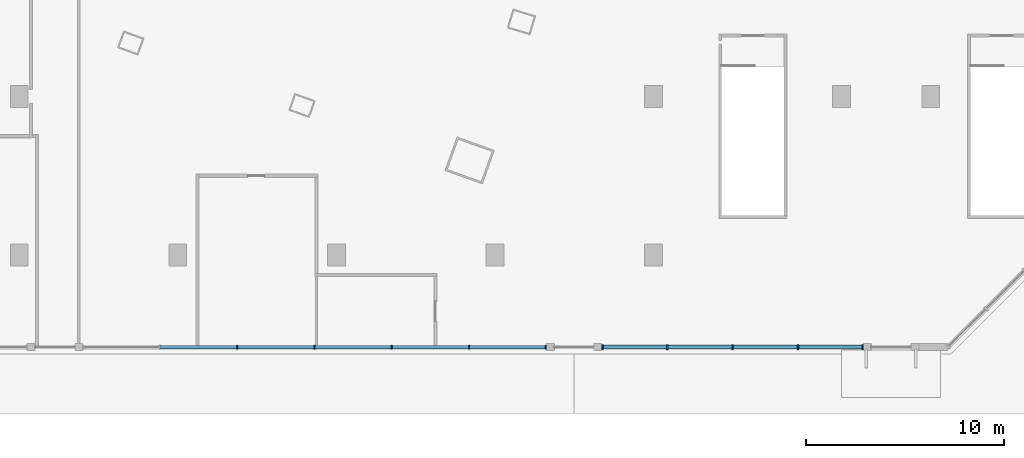
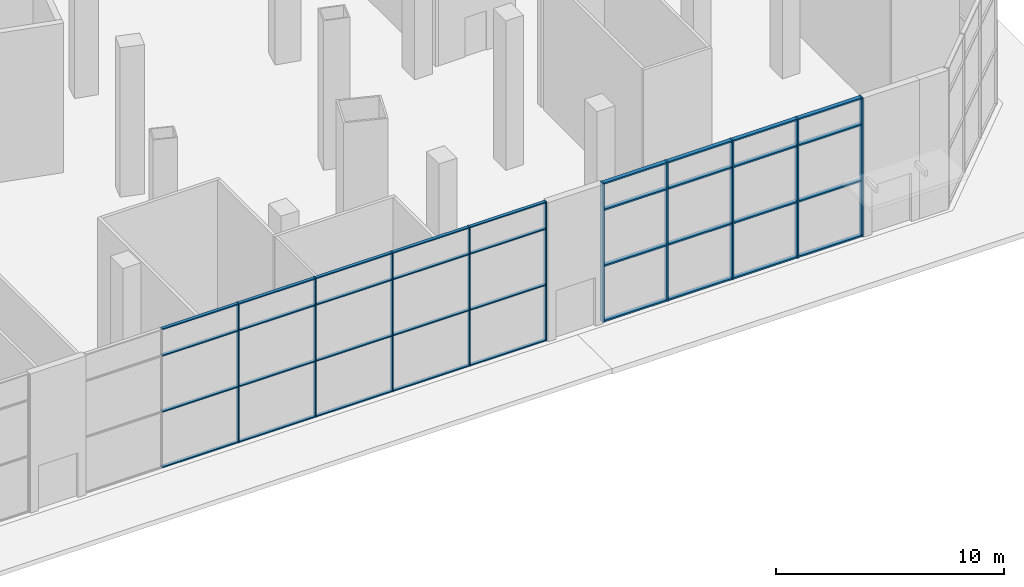
# One storey, part 3 of 33: 46 members, 2 elements without a shape of their own.
"""IFC4 building model written with IfcOpenShell, lengths in metres."""

from ifc_helpers import new_model, si_unit, direction, frame, origin, origin_2d, place, context, subcontext, project, spatial, rectangle, extrude, material, layer, layer_set, material_profile, profile_set, type_object, element, aggregate, save


model = new_model("IFC4")

# Units and contexts
model_context = context("Model", 3, precision=1e-05, world=origin(), true_north=direction((0.0, 1.0)))
body_context = subcontext(model_context, "Body", "Model", "MODEL_VIEW")
ifc_project = project(units=[si_unit("LENGTHUNIT", "METRE"), si_unit("AREAUNIT", "SQUARE_METRE"), si_unit("VOLUMEUNIT", "CUBIC_METRE"), si_unit("PLANEANGLEUNIT", "RADIAN"), si_unit("MASSUNIT", "GRAM", prefix="KILO")], contexts=[model_context])

# Site, building, storey
site_placement = place(None, origin())
site = spatial("IfcSite", under=ifc_project, at=site_placement, CompositionType="ELEMENT")
building_placement = place(site_placement, origin())
building = spatial("IfcBuilding", under=site, at=building_placement, Name="Alderwake Tower", CompositionType="ELEMENT")
storey_placement = place(building_placement, origin())
storey = spatial("IfcBuildingStorey", under=building, at=storey_placement, Name="L00", CompositionType="ELEMENT", Elevation=0.0)

# Curtain wall, members
ifc_material_1 = material(Name="Bronze tinted glass in aluminium frame", Category="aluminium")
ifc_layer_1 = layer(ifc_material_1, 0.25)
ifc_layer_set_1 = layer_set([ifc_layer_1], Name="Curtain wall CW1 podium shopfront")
curtain_wall_type_1 = type_object("IfcCurtainWallType", Name="Curtain wall CW1 podium shopfront", PredefinedType="NOTDEFINED", material=ifc_layer_set_1)
curtain_wall_1_placement = place(storey_placement, origin())
curtain_wall_1 = element("IfcCurtainWall", 1, at=curtain_wall_1_placement, inside=storey, type_object=curtain_wall_type_1, Name="Curtain wall 3", PredefinedType="NOTDEFINED")
ifc_material_2 = material(Name="Aluminium bronze anodised", Category="aluminium")
ifc_material_profile_1 = material_profile(ifc_material_2, rectangle(XDim=0.199951171875, YDim=0.06005859375, at=origin_2d()), Name="Mullion MUA 60x200")
ifc_profile_set_1 = profile_set([ifc_material_profile_1], Name="Aluminium bronze anodised")
member_type_1 = type_object("IfcMemberType", Name="Mullion MUA 60x200", PredefinedType="MULLION", material=ifc_profile_set_1)
member_1_placement = place(storey_placement, frame((43.0, 3.35009765625, 0.0), z_axis=(0.0, 0.0, 1.0), x_axis=(0.0, 1.0, 0.0)))
member_1 = element("IfcMember", 2, at=member_1_placement, type_object=member_type_1, Name="CW.03 mullion 3", PredefinedType="MULLION", context=body_context, shape_type="SweptSolid", body=[
    extrude(rectangle(XDim=0.199951171875, YDim=0.06005859375, at=origin_2d()), origin(), (0.0, 0.0, 1.0), 7.449951171875),
])
member_2_placement = place(storey_placement, frame((46.89990234375, 3.35009765625, 0.0), z_axis=(0.0, 0.0, 1.0), x_axis=(0.0, 1.0, 0.0)))
member_2 = element("IfcMember", 3, at=member_2_placement, type_object=member_type_1, Name="CW.03 mullion 4", PredefinedType="MULLION", context=body_context, shape_type="SweptSolid", body=[
    extrude(rectangle(XDim=0.199951171875, YDim=0.06005859375, at=origin_2d()), origin(), (0.0, 0.0, 1.0), 7.449951171875),
])
member_3_placement = place(storey_placement, frame((50.800048828125, 3.35009765625, 0.0), z_axis=(0.0, 0.0, 1.0), x_axis=(0.0, 1.0, 0.0)))
member_3 = element("IfcMember", 4, at=member_3_placement, type_object=member_type_1, Name="CW.03 mullion 5", PredefinedType="MULLION", context=body_context, shape_type="SweptSolid", body=[
    extrude(rectangle(XDim=0.199951171875, YDim=0.06005859375, at=origin_2d()), origin(), (0.0, 0.0, 1.0), 7.449951171875),
])
member_4_placement = place(storey_placement, frame((54.699951171875, 3.35009765625, 0.0), z_axis=(0.0, 0.0, 1.0), x_axis=(0.0, 1.0, 0.0)))
member_4 = element("IfcMember", 5, at=member_4_placement, type_object=member_type_1, Name="CW.03 mullion 6", PredefinedType="MULLION", context=body_context, shape_type="SweptSolid", body=[
    extrude(rectangle(XDim=0.199951171875, YDim=0.06005859375, at=origin_2d()), origin(), (0.0, 0.0, 1.0), 7.449951171875),
])
member_5_placement = place(storey_placement, frame((58.570068359375, 3.35009765625, 0.0), z_axis=(0.0, 0.0, 1.0), x_axis=(0.0, 1.0, 0.0)))
member_5 = element("IfcMember", 6, at=member_5_placement, type_object=member_type_1, Name="CW.03 mullion 7", PredefinedType="MULLION", context=body_context, shape_type="SweptSolid", body=[
    extrude(rectangle(XDim=0.199951171875, YDim=0.06005859375, at=origin_2d()), origin(), (0.0, 0.0, 1.0), 7.449951171875),
])

ifc_material_3 = material(Name="Bronze tinted glass in aluminium frame", Category="aluminium")
ifc_layer_2 = layer(ifc_material_3, 0.300048828125)
ifc_layer_set_2 = layer_set([ifc_layer_2], Name="Curtain wall CW2 station concourse wall")
curtain_wall_type_2 = type_object("IfcCurtainWallType", Name="Curtain wall CW2 station concourse wall", PredefinedType="NOTDEFINED", material=ifc_layer_set_2)
curtain_wall_2_placement = place(storey_placement, origin())
curtain_wall_2 = element("IfcCurtainWall", 7, at=curtain_wall_2_placement, inside=storey, type_object=curtain_wall_type_2, Name="Curtain wall 4", PredefinedType="NOTDEFINED")
ifc_material_4 = material(Name="Aluminium bronze anodised", Category="aluminium")
ifc_material_profile_2 = material_profile(ifc_material_4, rectangle(XDim=0.25, YDim=0.080078125, at=origin_2d()), Name="Mullion MUB 80x250")
ifc_profile_set_2 = profile_set([ifc_material_profile_2], Name="Aluminium bronze anodised")
member_type_2 = type_object("IfcMemberType", Name="Mullion MUB 80x250", PredefinedType="MULLION", material=ifc_profile_set_2)
member_6_placement = place(storey_placement, frame((61.43994140625, 3.35009765625, 0.0), z_axis=(0.0, 0.0, 1.0), x_axis=(0.0, 1.0, 0.0)))
member_6 = element("IfcMember", 8, at=member_6_placement, type_object=member_type_2, Name="CW.04 mullion 1", PredefinedType="MULLION", context=body_context, shape_type="SweptSolid", body=[
    extrude(rectangle(XDim=0.25, YDim=0.080078125, at=origin_2d()), origin(), (0.0, 0.0, 1.0), 7.449951171875),
])
member_7_placement = place(storey_placement, frame((64.699951171875, 3.35009765625, 0.0), z_axis=(0.0, 0.0, 1.0), x_axis=(0.0, 1.0, 0.0)))
member_7 = element("IfcMember", 9, at=member_7_placement, type_object=member_type_2, Name="CW.04 mullion 2", PredefinedType="MULLION", context=body_context, shape_type="SweptSolid", body=[
    extrude(rectangle(XDim=0.25, YDim=0.080078125, at=origin_2d()), origin(), (0.0, 0.0, 1.0), 7.449951171875),
])
member_8_placement = place(storey_placement, frame((68.0, 3.35009765625, 0.0), z_axis=(0.0, 0.0, 1.0), x_axis=(0.0, 1.0, 0.0)))
member_8 = element("IfcMember", 10, at=member_8_placement, type_object=member_type_2, Name="CW.04 mullion 3", PredefinedType="MULLION", context=body_context, shape_type="SweptSolid", body=[
    extrude(rectangle(XDim=0.25, YDim=0.080078125, at=origin_2d()), origin(), (0.0, 0.0, 1.0), 7.449951171875),
])
member_9_placement = place(storey_placement, frame((71.300048828125, 3.35009765625, 0.0), z_axis=(0.0, 0.0, 1.0), x_axis=(0.0, 1.0, 0.0)))
member_9 = element("IfcMember", 11, at=member_9_placement, type_object=member_type_2, Name="CW.04 mullion 4", PredefinedType="MULLION", context=body_context, shape_type="SweptSolid", body=[
    extrude(rectangle(XDim=0.25, YDim=0.080078125, at=origin_2d()), origin(), (0.0, 0.0, 1.0), 7.449951171875),
])
member_10_placement = place(storey_placement, frame((74.56005859375, 3.35009765625, 0.0), z_axis=(0.0, 0.0, 1.0), x_axis=(0.0, 1.0, 0.0)))
member_10 = element("IfcMember", 12, at=member_10_placement, type_object=member_type_2, Name="CW.04 mullion 5", PredefinedType="MULLION", context=body_context, shape_type="SweptSolid", body=[
    extrude(rectangle(XDim=0.25, YDim=0.080078125, at=origin_2d()), origin(), (0.0, 0.0, 1.0), 7.449951171875),
])

# Member
ifc_material_5 = material(Name="Aluminium bronze anodised", Category="aluminium")
ifc_material_profile_3 = material_profile(ifc_material_5, rectangle(XDim=0.159912109375, YDim=0.06005859375, at=origin_2d()), Name="Transom TRA 60x160")
ifc_profile_set_3 = profile_set([ifc_material_profile_3], Name="Aluminium bronze anodised")
member_type_3 = type_object("IfcMemberType", Name="Transom TRA 60x160", PredefinedType="USERDEFINED", material=ifc_profile_set_3)
member_11_placement = place(storey_placement, frame((39.1298828125, 3.35009765625, 0.030029296875), z_axis=(1.0, 0.0, 0.0), x_axis=(0.0, 1.0, 0.0)))
member_11 = element("IfcMember", 13, at=member_11_placement, type_object=member_type_3, Name="CW.03 transom 2.1", ObjectType="TRANSOM", PredefinedType="USERDEFINED", context=body_context, shape_type="SweptSolid", body=[
    extrude(rectangle(XDim=0.159912109375, YDim=0.06005859375, at=origin_2d()), origin(), (0.0, 0.0, 1.0), 3.840087890625),
])

member_12_placement = place(storey_placement, frame((39.1298828125, 3.35009765625, 3.0), z_axis=(1.0, 0.0, 0.0), x_axis=(0.0, 1.0, 0.0)))
member_12 = element("IfcMember", 14, at=member_12_placement, type_object=member_type_3, Name="CW.03 transom 2.2", ObjectType="TRANSOM", PredefinedType="USERDEFINED", context=body_context, shape_type="SweptSolid", body=[
    extrude(rectangle(XDim=0.159912109375, YDim=0.06005859375, at=origin_2d()), origin(), (0.0, 0.0, 1.0), 3.840087890625),
])

member_13_placement = place(storey_placement, frame((39.1298828125, 3.35009765625, 6.0), z_axis=(1.0, 0.0, 0.0), x_axis=(0.0, 1.0, 0.0)))
member_13 = element("IfcMember", 15, at=member_13_placement, type_object=member_type_3, Name="CW.03 transom 2.3", ObjectType="TRANSOM", PredefinedType="USERDEFINED", context=body_context, shape_type="SweptSolid", body=[
    extrude(rectangle(XDim=0.159912109375, YDim=0.06005859375, at=origin_2d()), origin(), (0.0, 0.0, 1.0), 3.840087890625),
])

member_14_placement = place(storey_placement, frame((39.1298828125, 3.35009765625, 7.419921875), z_axis=(1.0, 0.0, 0.0), x_axis=(0.0, 1.0, 0.0)))
member_14 = element("IfcMember", 16, at=member_14_placement, type_object=member_type_3, Name="CW.03 transom 2.4", ObjectType="TRANSOM", PredefinedType="USERDEFINED", context=body_context, shape_type="SweptSolid", body=[
    extrude(rectangle(XDim=0.159912109375, YDim=0.06005859375, at=origin_2d()), origin(), (0.0, 0.0, 1.0), 3.840087890625),
])

member_15_placement = place(storey_placement, frame((43.030029296875, 3.35009765625, 0.030029296875), z_axis=(1.0, 0.0, 0.0), x_axis=(0.0, 1.0, 0.0)))
member_15 = element("IfcMember", 17, at=member_15_placement, type_object=member_type_3, Name="CW.03 transom 3.1", ObjectType="TRANSOM", PredefinedType="USERDEFINED", context=body_context, shape_type="SweptSolid", body=[
    extrude(rectangle(XDim=0.159912109375, YDim=0.06005859375, at=origin_2d()), origin(), (0.0, 0.0, 1.0), 3.840087890625),
])

member_16_placement = place(storey_placement, frame((43.030029296875, 3.35009765625, 3.0), z_axis=(1.0, 0.0, 0.0), x_axis=(0.0, 1.0, 0.0)))
member_16 = element("IfcMember", 18, at=member_16_placement, type_object=member_type_3, Name="CW.03 transom 3.2", ObjectType="TRANSOM", PredefinedType="USERDEFINED", context=body_context, shape_type="SweptSolid", body=[
    extrude(rectangle(XDim=0.159912109375, YDim=0.06005859375, at=origin_2d()), origin(), (0.0, 0.0, 1.0), 3.840087890625),
])

member_17_placement = place(storey_placement, frame((43.030029296875, 3.35009765625, 6.0), z_axis=(1.0, 0.0, 0.0), x_axis=(0.0, 1.0, 0.0)))
member_17 = element("IfcMember", 19, at=member_17_placement, type_object=member_type_3, Name="CW.03 transom 3.3", ObjectType="TRANSOM", PredefinedType="USERDEFINED", context=body_context, shape_type="SweptSolid", body=[
    extrude(rectangle(XDim=0.159912109375, YDim=0.06005859375, at=origin_2d()), origin(), (0.0, 0.0, 1.0), 3.840087890625),
])

member_18_placement = place(storey_placement, frame((43.030029296875, 3.35009765625, 7.419921875), z_axis=(1.0, 0.0, 0.0), x_axis=(0.0, 1.0, 0.0)))
member_18 = element("IfcMember", 20, at=member_18_placement, type_object=member_type_3, Name="CW.03 transom 3.4", ObjectType="TRANSOM", PredefinedType="USERDEFINED", context=body_context, shape_type="SweptSolid", body=[
    extrude(rectangle(XDim=0.159912109375, YDim=0.06005859375, at=origin_2d()), origin(), (0.0, 0.0, 1.0), 3.840087890625),
])

member_19_placement = place(storey_placement, frame((46.929931640625, 3.35009765625, 0.030029296875), z_axis=(1.0, 0.0, 0.0), x_axis=(0.0, 1.0, 0.0)))
member_19 = element("IfcMember", 21, at=member_19_placement, type_object=member_type_3, Name="CW.03 transom 4.1", ObjectType="TRANSOM", PredefinedType="USERDEFINED", context=body_context, shape_type="SweptSolid", body=[
    extrude(rectangle(XDim=0.159912109375, YDim=0.06005859375, at=origin_2d()), origin(), (0.0, 0.0, 1.0), 3.840087890625),
])

member_20_placement = place(storey_placement, frame((46.929931640625, 3.35009765625, 3.0), z_axis=(1.0, 0.0, 0.0), x_axis=(0.0, 1.0, 0.0)))
member_20 = element("IfcMember", 22, at=member_20_placement, type_object=member_type_3, Name="CW.03 transom 4.2", ObjectType="TRANSOM", PredefinedType="USERDEFINED", context=body_context, shape_type="SweptSolid", body=[
    extrude(rectangle(XDim=0.159912109375, YDim=0.06005859375, at=origin_2d()), origin(), (0.0, 0.0, 1.0), 3.840087890625),
])

member_21_placement = place(storey_placement, frame((46.929931640625, 3.35009765625, 6.0), z_axis=(1.0, 0.0, 0.0), x_axis=(0.0, 1.0, 0.0)))
member_21 = element("IfcMember", 23, at=member_21_placement, type_object=member_type_3, Name="CW.03 transom 4.3", ObjectType="TRANSOM", PredefinedType="USERDEFINED", context=body_context, shape_type="SweptSolid", body=[
    extrude(rectangle(XDim=0.159912109375, YDim=0.06005859375, at=origin_2d()), origin(), (0.0, 0.0, 1.0), 3.840087890625),
])

member_22_placement = place(storey_placement, frame((46.929931640625, 3.35009765625, 7.419921875), z_axis=(1.0, 0.0, 0.0), x_axis=(0.0, 1.0, 0.0)))
member_22 = element("IfcMember", 24, at=member_22_placement, type_object=member_type_3, Name="CW.03 transom 4.4", ObjectType="TRANSOM", PredefinedType="USERDEFINED", context=body_context, shape_type="SweptSolid", body=[
    extrude(rectangle(XDim=0.159912109375, YDim=0.06005859375, at=origin_2d()), origin(), (0.0, 0.0, 1.0), 3.840087890625),
])

member_23_placement = place(storey_placement, frame((50.830078125, 3.35009765625, 0.030029296875), z_axis=(1.0, 0.0, 0.0), x_axis=(0.0, 1.0, 0.0)))
member_23 = element("IfcMember", 25, at=member_23_placement, type_object=member_type_3, Name="CW.03 transom 5.1", ObjectType="TRANSOM", PredefinedType="USERDEFINED", context=body_context, shape_type="SweptSolid", body=[
    extrude(rectangle(XDim=0.159912109375, YDim=0.06005859375, at=origin_2d()), origin(), (0.0, 0.0, 1.0), 3.83984375),
])

member_24_placement = place(storey_placement, frame((50.830078125, 3.35009765625, 3.0), z_axis=(1.0, 0.0, 0.0), x_axis=(0.0, 1.0, 0.0)))
member_24 = element("IfcMember", 26, at=member_24_placement, type_object=member_type_3, Name="CW.03 transom 5.2", ObjectType="TRANSOM", PredefinedType="USERDEFINED", context=body_context, shape_type="SweptSolid", body=[
    extrude(rectangle(XDim=0.159912109375, YDim=0.06005859375, at=origin_2d()), origin(), (0.0, 0.0, 1.0), 3.83984375),
])

member_25_placement = place(storey_placement, frame((50.830078125, 3.35009765625, 6.0), z_axis=(1.0, 0.0, 0.0), x_axis=(0.0, 1.0, 0.0)))
member_25 = element("IfcMember", 27, at=member_25_placement, type_object=member_type_3, Name="CW.03 transom 5.3", ObjectType="TRANSOM", PredefinedType="USERDEFINED", context=body_context, shape_type="SweptSolid", body=[
    extrude(rectangle(XDim=0.159912109375, YDim=0.06005859375, at=origin_2d()), origin(), (0.0, 0.0, 1.0), 3.83984375),
])

member_26_placement = place(storey_placement, frame((50.830078125, 3.35009765625, 7.419921875), z_axis=(1.0, 0.0, 0.0), x_axis=(0.0, 1.0, 0.0)))
member_26 = element("IfcMember", 28, at=member_26_placement, type_object=member_type_3, Name="CW.03 transom 5.4", ObjectType="TRANSOM", PredefinedType="USERDEFINED", context=body_context, shape_type="SweptSolid", body=[
    extrude(rectangle(XDim=0.159912109375, YDim=0.06005859375, at=origin_2d()), origin(), (0.0, 0.0, 1.0), 3.83984375),
])

member_27_placement = place(storey_placement, frame((54.72998046875, 3.35009765625, 0.030029296875), z_axis=(1.0, 0.0, 0.0), x_axis=(0.0, 1.0, 0.0)))
member_27 = element("IfcMember", 29, at=member_27_placement, type_object=member_type_3, Name="CW.03 transom 6.1", ObjectType="TRANSOM", PredefinedType="USERDEFINED", context=body_context, shape_type="SweptSolid", body=[
    extrude(rectangle(XDim=0.159912109375, YDim=0.06005859375, at=origin_2d()), origin(), (0.0, 0.0, 1.0), 3.81005859375),
])

member_28_placement = place(storey_placement, frame((54.72998046875, 3.35009765625, 3.0), z_axis=(1.0, 0.0, 0.0), x_axis=(0.0, 1.0, 0.0)))
member_28 = element("IfcMember", 30, at=member_28_placement, type_object=member_type_3, Name="CW.03 transom 6.2", ObjectType="TRANSOM", PredefinedType="USERDEFINED", context=body_context, shape_type="SweptSolid", body=[
    extrude(rectangle(XDim=0.159912109375, YDim=0.06005859375, at=origin_2d()), origin(), (0.0, 0.0, 1.0), 3.81005859375),
])

member_29_placement = place(storey_placement, frame((54.72998046875, 3.35009765625, 6.0), z_axis=(1.0, 0.0, 0.0), x_axis=(0.0, 1.0, 0.0)))
member_29 = element("IfcMember", 31, at=member_29_placement, type_object=member_type_3, Name="CW.03 transom 6.3", ObjectType="TRANSOM", PredefinedType="USERDEFINED", context=body_context, shape_type="SweptSolid", body=[
    extrude(rectangle(XDim=0.159912109375, YDim=0.06005859375, at=origin_2d()), origin(), (0.0, 0.0, 1.0), 3.81005859375),
])

member_30_placement = place(storey_placement, frame((54.72998046875, 3.35009765625, 7.419921875), z_axis=(1.0, 0.0, 0.0), x_axis=(0.0, 1.0, 0.0)))
member_30 = element("IfcMember", 32, at=member_30_placement, type_object=member_type_3, Name="CW.03 transom 6.4", ObjectType="TRANSOM", PredefinedType="USERDEFINED", context=body_context, shape_type="SweptSolid", body=[
    extrude(rectangle(XDim=0.159912109375, YDim=0.06005859375, at=origin_2d()), origin(), (0.0, 0.0, 1.0), 3.81005859375),
])

aggregate(curtain_wall_1, [member_1, member_2, member_3, member_4, member_5, member_11, member_12, member_13, member_14, member_15, member_16, member_17, member_18, member_19, member_20, member_21, member_22, member_23, member_24, member_25, member_26, member_27, member_28, member_29, member_30])

ifc_material_6 = material(Name="Aluminium bronze anodised", Category="aluminium")
ifc_material_profile_4 = material_profile(ifc_material_6, rectangle(XDim=0.199951171875, YDim=0.080078125, at=origin_2d()), Name="Transom TRB 80x200")
ifc_profile_set_4 = profile_set([ifc_material_profile_4], Name="Aluminium bronze anodised")
member_type_4 = type_object("IfcMemberType", Name="Transom TRB 80x200", PredefinedType="USERDEFINED", material=ifc_profile_set_4)
member_31_placement = place(storey_placement, frame((61.47998046875, 3.35009765625, 0.0400390625), z_axis=(1.0, 0.0, 0.0), x_axis=(0.0, 1.0, 0.0)))
member_31 = element("IfcMember", 33, at=member_31_placement, type_object=member_type_4, Name="CW.04 transom 1.1", ObjectType="TRANSOM", PredefinedType="USERDEFINED", context=body_context, shape_type="SweptSolid", body=[
    extrude(rectangle(XDim=0.199951171875, YDim=0.080078125, at=origin_2d()), origin(), (0.0, 0.0, 1.0), 3.179931640625),
])

member_32_placement = place(storey_placement, frame((61.47998046875, 3.35009765625, 3.0), z_axis=(1.0, 0.0, 0.0), x_axis=(0.0, 1.0, 0.0)))
member_32 = element("IfcMember", 34, at=member_32_placement, type_object=member_type_4, Name="CW.04 transom 1.2", ObjectType="TRANSOM", PredefinedType="USERDEFINED", context=body_context, shape_type="SweptSolid", body=[
    extrude(rectangle(XDim=0.199951171875, YDim=0.080078125, at=origin_2d()), origin(), (0.0, 0.0, 1.0), 3.179931640625),
])

member_33_placement = place(storey_placement, frame((61.47998046875, 3.35009765625, 6.0), z_axis=(1.0, 0.0, 0.0), x_axis=(0.0, 1.0, 0.0)))
member_33 = element("IfcMember", 35, at=member_33_placement, type_object=member_type_4, Name="CW.04 transom 1.3", ObjectType="TRANSOM", PredefinedType="USERDEFINED", context=body_context, shape_type="SweptSolid", body=[
    extrude(rectangle(XDim=0.199951171875, YDim=0.080078125, at=origin_2d()), origin(), (0.0, 0.0, 1.0), 3.179931640625),
])

member_34_placement = place(storey_placement, frame((61.47998046875, 3.35009765625, 7.409912109375), z_axis=(1.0, 0.0, 0.0), x_axis=(0.0, 1.0, 0.0)))
member_34 = element("IfcMember", 36, at=member_34_placement, type_object=member_type_4, Name="CW.04 transom 1.4", ObjectType="TRANSOM", PredefinedType="USERDEFINED", context=body_context, shape_type="SweptSolid", body=[
    extrude(rectangle(XDim=0.199951171875, YDim=0.080078125, at=origin_2d()), origin(), (0.0, 0.0, 1.0), 3.179931640625),
])

member_35_placement = place(storey_placement, frame((64.739990234375, 3.35009765625, 0.0400390625), z_axis=(1.0, 0.0, 0.0), x_axis=(0.0, 1.0, 0.0)))
member_35 = element("IfcMember", 37, at=member_35_placement, type_object=member_type_4, Name="CW.04 transom 2.1", ObjectType="TRANSOM", PredefinedType="USERDEFINED", context=body_context, shape_type="SweptSolid", body=[
    extrude(rectangle(XDim=0.199951171875, YDim=0.080078125, at=origin_2d()), origin(), (0.0, 0.0, 1.0), 3.219970703125),
])

member_36_placement = place(storey_placement, frame((64.739990234375, 3.35009765625, 3.0), z_axis=(1.0, 0.0, 0.0), x_axis=(0.0, 1.0, 0.0)))
member_36 = element("IfcMember", 38, at=member_36_placement, type_object=member_type_4, Name="CW.04 transom 2.2", ObjectType="TRANSOM", PredefinedType="USERDEFINED", context=body_context, shape_type="SweptSolid", body=[
    extrude(rectangle(XDim=0.199951171875, YDim=0.080078125, at=origin_2d()), origin(), (0.0, 0.0, 1.0), 3.219970703125),
])

member_37_placement = place(storey_placement, frame((64.739990234375, 3.35009765625, 6.0), z_axis=(1.0, 0.0, 0.0), x_axis=(0.0, 1.0, 0.0)))
member_37 = element("IfcMember", 39, at=member_37_placement, type_object=member_type_4, Name="CW.04 transom 2.3", ObjectType="TRANSOM", PredefinedType="USERDEFINED", context=body_context, shape_type="SweptSolid", body=[
    extrude(rectangle(XDim=0.199951171875, YDim=0.080078125, at=origin_2d()), origin(), (0.0, 0.0, 1.0), 3.219970703125),
])

member_38_placement = place(storey_placement, frame((64.739990234375, 3.35009765625, 7.409912109375), z_axis=(1.0, 0.0, 0.0), x_axis=(0.0, 1.0, 0.0)))
member_38 = element("IfcMember", 40, at=member_38_placement, type_object=member_type_4, Name="CW.04 transom 2.4", ObjectType="TRANSOM", PredefinedType="USERDEFINED", context=body_context, shape_type="SweptSolid", body=[
    extrude(rectangle(XDim=0.199951171875, YDim=0.080078125, at=origin_2d()), origin(), (0.0, 0.0, 1.0), 3.219970703125),
])

member_39_placement = place(storey_placement, frame((68.0400390625, 3.35009765625, 0.0400390625), z_axis=(1.0, 0.0, 0.0), x_axis=(0.0, 1.0, 0.0)))
member_39 = element("IfcMember", 41, at=member_39_placement, type_object=member_type_4, Name="CW.04 transom 3.1", ObjectType="TRANSOM", PredefinedType="USERDEFINED", context=body_context, shape_type="SweptSolid", body=[
    extrude(rectangle(XDim=0.199951171875, YDim=0.080078125, at=origin_2d()), origin(), (0.0, 0.0, 1.0), 3.219970703125),
])

member_40_placement = place(storey_placement, frame((68.0400390625, 3.35009765625, 3.0), z_axis=(1.0, 0.0, 0.0), x_axis=(0.0, 1.0, 0.0)))
member_40 = element("IfcMember", 42, at=member_40_placement, type_object=member_type_4, Name="CW.04 transom 3.2", ObjectType="TRANSOM", PredefinedType="USERDEFINED", context=body_context, shape_type="SweptSolid", body=[
    extrude(rectangle(XDim=0.199951171875, YDim=0.080078125, at=origin_2d()), origin(), (0.0, 0.0, 1.0), 3.219970703125),
])

member_41_placement = place(storey_placement, frame((68.0400390625, 3.35009765625, 6.0), z_axis=(1.0, 0.0, 0.0), x_axis=(0.0, 1.0, 0.0)))
member_41 = element("IfcMember", 43, at=member_41_placement, type_object=member_type_4, Name="CW.04 transom 3.3", ObjectType="TRANSOM", PredefinedType="USERDEFINED", context=body_context, shape_type="SweptSolid", body=[
    extrude(rectangle(XDim=0.199951171875, YDim=0.080078125, at=origin_2d()), origin(), (0.0, 0.0, 1.0), 3.219970703125),
])

member_42_placement = place(storey_placement, frame((68.0400390625, 3.35009765625, 7.409912109375), z_axis=(1.0, 0.0, 0.0), x_axis=(0.0, 1.0, 0.0)))
member_42 = element("IfcMember", 44, at=member_42_placement, type_object=member_type_4, Name="CW.04 transom 3.4", ObjectType="TRANSOM", PredefinedType="USERDEFINED", context=body_context, shape_type="SweptSolid", body=[
    extrude(rectangle(XDim=0.199951171875, YDim=0.080078125, at=origin_2d()), origin(), (0.0, 0.0, 1.0), 3.219970703125),
])

member_43_placement = place(storey_placement, frame((71.340087890625, 3.35009765625, 0.0400390625), z_axis=(1.0, 0.0, 0.0), x_axis=(0.0, 1.0, 0.0)))
member_43 = element("IfcMember", 45, at=member_43_placement, type_object=member_type_4, Name="CW.04 transom 4.1", ObjectType="TRANSOM", PredefinedType="USERDEFINED", context=body_context, shape_type="SweptSolid", body=[
    extrude(rectangle(XDim=0.199951171875, YDim=0.080078125, at=origin_2d()), origin(), (0.0, 0.0, 1.0), 3.179931640625),
])

member_44_placement = place(storey_placement, frame((71.340087890625, 3.35009765625, 3.0), z_axis=(1.0, 0.0, 0.0), x_axis=(0.0, 1.0, 0.0)))
member_44 = element("IfcMember", 46, at=member_44_placement, type_object=member_type_4, Name="CW.04 transom 4.2", ObjectType="TRANSOM", PredefinedType="USERDEFINED", context=body_context, shape_type="SweptSolid", body=[
    extrude(rectangle(XDim=0.199951171875, YDim=0.080078125, at=origin_2d()), origin(), (0.0, 0.0, 1.0), 3.179931640625),
])

member_45_placement = place(storey_placement, frame((71.340087890625, 3.35009765625, 6.0), z_axis=(1.0, 0.0, 0.0), x_axis=(0.0, 1.0, 0.0)))
member_45 = element("IfcMember", 47, at=member_45_placement, type_object=member_type_4, Name="CW.04 transom 4.3", ObjectType="TRANSOM", PredefinedType="USERDEFINED", context=body_context, shape_type="SweptSolid", body=[
    extrude(rectangle(XDim=0.199951171875, YDim=0.080078125, at=origin_2d()), origin(), (0.0, 0.0, 1.0), 3.179931640625),
])

member_46_placement = place(storey_placement, frame((71.340087890625, 3.35009765625, 7.409912109375), z_axis=(1.0, 0.0, 0.0), x_axis=(0.0, 1.0, 0.0)))
member_46 = element("IfcMember", 48, at=member_46_placement, type_object=member_type_4, Name="CW.04 transom 4.4", ObjectType="TRANSOM", PredefinedType="USERDEFINED", context=body_context, shape_type="SweptSolid", body=[
    extrude(rectangle(XDim=0.199951171875, YDim=0.080078125, at=origin_2d()), origin(), (0.0, 0.0, 1.0), 3.179931640625),
])

aggregate(curtain_wall_2, [member_6, member_7, member_8, member_9, member_10, member_31, member_32, member_33, member_34, member_35, member_36, member_37, member_38, member_39, member_40, member_41, member_42, member_43, member_44, member_45, member_46])

save(model, "model.ifc")
